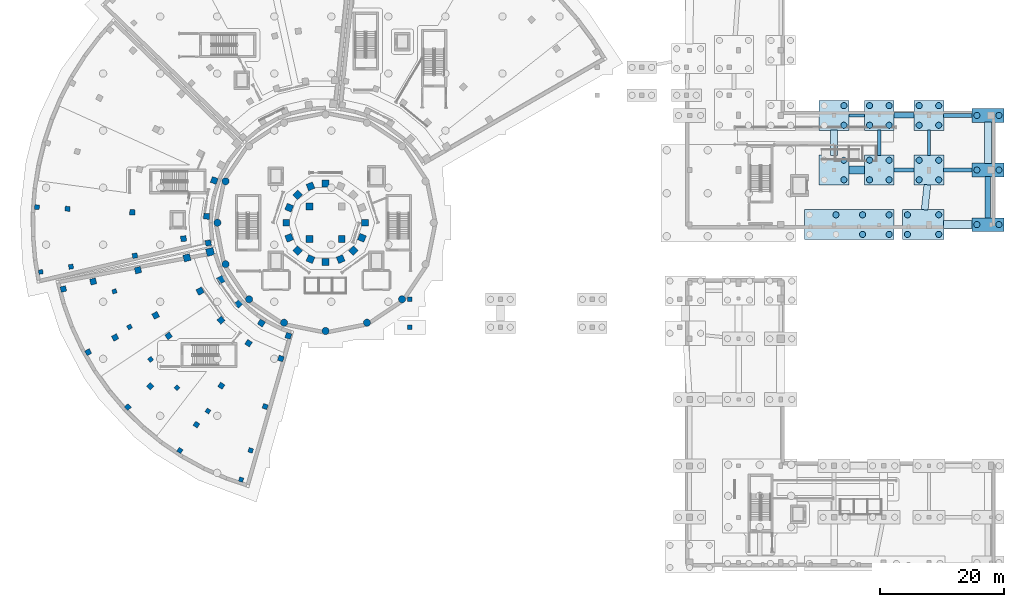
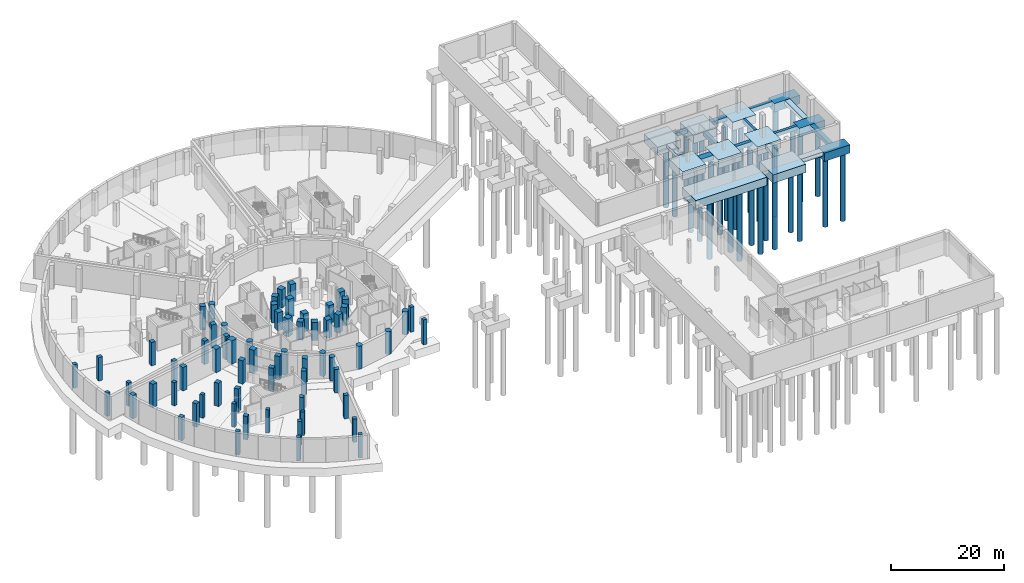
# One storey, part 3 of 33: 66 columns, 35 piles, 24 footings.
"""IFC4 building model written with IfcOpenShell, lengths in metres."""

from ifc_helpers import new_model, si_unit, direction, frame, origin, origin_2d, place, context, subcontext, project, spatial, rectangle, circle, extrude, material, material_profile, profile_set, type_object, element, save


model = new_model("IFC4")

# Units and contexts
model_context = context("Model", 3, precision=1e-05, world=origin(), true_north=direction((0.0, 1.0)))
body_context = subcontext(model_context, "Body", "Model", "MODEL_VIEW")
ifc_project = project(units=[si_unit("LENGTHUNIT", "METRE"), si_unit("AREAUNIT", "SQUARE_METRE"), si_unit("VOLUMEUNIT", "CUBIC_METRE"), si_unit("PLANEANGLEUNIT", "RADIAN"), si_unit("MASSUNIT", "GRAM", prefix="KILO")], contexts=[model_context])

# Site, building, storey
site_placement = place(None, origin())
site = spatial("IfcSite", under=ifc_project, at=site_placement, CompositionType="ELEMENT")
building_placement = place(site_placement, origin())
building = spatial("IfcBuilding", under=site, at=building_placement, Name="Soyqirgoq Riverine Aquarium", CompositionType="ELEMENT")
storey_placement = place(building_placement, frame((0.0, 0.0, -5.39990234375)))
storey = spatial("IfcBuildingStorey", under=building, at=storey_placement, Name="B01", CompositionType="ELEMENT", Elevation=-5.39990234375)

# Piles
ifc_material_1 = material(Name="Concrete C35/45", Category="concrete")
ifc_material_profile_1 = material_profile(ifc_material_1, circle(Radius=0.5, at=origin_2d()), Name="BP D1000")
ifc_profile_set_1 = profile_set([ifc_material_profile_1], Name="Concrete C35/45")
pile_type = type_object("IfcPileType", Name="BoredPile_1000_C35", PredefinedType="BORED", material=ifc_profile_set_1)
for number, where, z_axis, x_axis, name in (
    (1, (138.306640625, 58.280029296875, -1.7001953125), (0.0, 0.0, -1.0), (1.0, 0.0, 0.0), "Bored Pile 0180"),
    (2, (142.59326171875, 55.1201171875, -1.7001953125), (0.0, 0.0, -1.0), (1.0, 0.0, 0.0), "Bored Pile 0181"),
    (3, (142.59326171875, 58.280029296875, -1.7001953125), (0.0, 0.0, -1.0), (1.0, 0.0, 0.0), "Bored Pile 0182"),
    (4, (146.8798828125, 55.1201171875, -1.7001953125), (0.0, 0.0, -1.0), (1.0, 0.0, 0.0), "Bored Pile 0183"),
    (5, (146.8798828125, 58.280029296875, -1.7001953125), (0.0, 0.0, -1.0), (1.0, 0.0, 0.0), "Bored Pile 0184"),
    (6, (139.580078125, 63.919921875, -1.7001953125), (0.0, 0.0, -1.0), (1.0, 0.0, 0.0), "Bored Pile 0187"),
    (7, (139.580078125, 67.080078125, -1.7001953125), (0.0, 0.0, -1.0), (1.0, 0.0, 0.0), "Bored Pile 0188"),
    (8, (139.580078125, 72.719970703125, -1.7001953125), (0.0, 0.0, -1.0), (1.0, 0.0, 0.0), "Bored Pile 0191"),
    (9, (139.580078125, 75.8798828125, -1.7001953125), (0.0, 0.0, -1.0), (1.0, 0.0, 0.0), "Bored Pile 0192"),
    (10, (143.719970703125, 63.919921875, -1.7001953125), (0.0, 0.0, -1.0), (1.0, 0.0, 0.0), "Bored Pile 0193"),
    (11, (143.719970703125, 67.080078125, -1.7001953125), (0.0, 0.0, -1.0), (1.0, 0.0, 0.0), "Bored Pile 0194"),
    (12, (146.8798828125, 63.919921875, -1.7001953125), (0.0, 0.0, -1.0), (1.0, 0.0, 0.0), "Bored Pile 0195"),
    (13, (146.8798828125, 67.080078125, -1.7001953125), (0.0, 0.0, -1.0), (1.0, 0.0, 0.0), "Bored Pile 0196"),
    (14, (143.719970703125, 72.719970703125, -1.7001953125), (0.0, 0.0, -1.0), (1.0, 0.0, 0.0), "Bored Pile 0197"),
    (15, (143.719970703125, 75.8798828125, -1.7001953125), (0.0, 0.0, -1.0), (1.0, 0.0, 0.0), "Bored Pile 0198"),
    (16, (146.8798828125, 72.719970703125, -1.7001953125), (0.0, 0.0, -1.0), (1.0, 0.0, 0.0), "Bored Pile 0199"),
    (17, (146.8798828125, 75.8798828125, -1.7001953125), (0.0, 0.0, -1.0), (1.0, 0.0, 0.0), "Bored Pile 0200"),
    (18, (149.820068359375, 55.1201171875, -1.7001953125), (0.0, 0.0, -1.0), (1.0, 0.0, 0.0), "Bored Pile 0201"),
    (19, (149.820068359375, 58.280029296875, -1.7001953125), (0.0, 0.0, -1.0), (1.0, 0.0, 0.0), "Bored Pile 0202"),
    (20, (154.8798828125, 55.1201171875, -1.7001953125), (0.0, 0.0, -1.0), (1.0, 0.0, 0.0), "Bored Pile 0203"),
    (21, (154.8798828125, 58.280029296875, -1.7001953125), (0.0, 0.0, -1.0), (1.0, 0.0, 0.0), "Bored Pile 0204"),
    (22, (151.719970703125, 63.919921875, -1.7001953125), (0.0, 0.0, -1.0), (1.0, 0.0, 0.0), "Bored Pile 0205"),
    (23, (151.719970703125, 67.080078125, -1.7001953125), (0.0, 0.0, -1.0), (1.0, 0.0, 0.0), "Bored Pile 0206"),
    (24, (154.8798828125, 63.919921875, -1.7001953125), (0.0, 0.0, -1.0), (1.0, 0.0, 0.0), "Bored Pile 0207"),
    (25, (154.8798828125, 67.080078125, -1.7001953125), (0.0, 0.0, -1.0), (1.0, 0.0, 0.0), "Bored Pile 0208"),
    (26, (151.719970703125, 72.719970703125, -1.7001953125), (0.0, 0.0, -1.0), (1.0, 0.0, 0.0), "Bored Pile 0209"),
    (27, (151.719970703125, 75.8798828125, -1.7001953125), (0.0, 0.0, -1.0), (1.0, 0.0, 0.0), "Bored Pile 0210"),
    (28, (154.8798828125, 72.719970703125, -1.7001953125), (0.0, 0.0, -1.0), (1.0, 0.0, 0.0), "Bored Pile 0211"),
    (29, (154.8798828125, 75.8798828125, -1.7001953125), (0.0, 0.0, -1.0), (1.0, 0.0, 0.0), "Bored Pile 0212"),
    (30, (161.02001953125, 56.699951171875, -1.7001953125), (0.0, 0.0, -1.0), (1.0, 0.0, 0.0), "Bored Pile 0213"),
    (31, (164.580078125, 56.699951171875, -1.7001953125), (0.0, 0.0, -1.0), (1.0, 0.0, 0.0), "Bored Pile 0214"),
    (32, (161.02001953125, 65.5, -1.7001953125), (0.0, 0.0, -1.0), (1.0, 0.0, 0.0), "Bored Pile 0215"),
    (33, (164.580078125, 65.5, -1.7001953125), (0.0, 0.0, -1.0), (1.0, 0.0, 0.0), "Bored Pile 0216"),
    (34, (161.02001953125, 74.300048828125, -1.7001953125), (0.0, 0.0, -1.0), (1.0, 0.0, 0.0), "Bored Pile 0217"),
    (35, (164.580078125, 74.300048828125, -1.7001953125), (0.0, 0.0, -1.0), (1.0, 0.0, 0.0), "Bored Pile 0218"),
):
    element("IfcPile", number, at=place(storey_placement, frame(where, z_axis=z_axis, x_axis=x_axis)), inside=storey, type_object=pile_type, Name=name, PredefinedType="BORED", context=body_context, shape_type="SweptSolid", body=[
        extrude(circle(Radius=0.5, at=origin_2d()), origin(), (0.0, 0.0, 1.0), 14.89990234375),
    ])

# Footings
ifc_material_2 = material(Name="Concrete C35/45", Category="concrete")
ifc_material_profile_2 = material_profile(ifc_material_2, rectangle(XDim=0.5, YDim=0.800048828125, at=origin_2d()), Name="RC 500x800")
ifc_profile_set_2 = profile_set([ifc_material_profile_2], Name="Concrete C35/45")
footing_type_1 = type_object("IfcFootingType", Name="GroundBeam_500x800", PredefinedType="FOOTING_BEAM", material=ifc_profile_set_2)
footing_1_placement = place(storey_placement, frame((140.3798828125, 74.300048828125, -0.400146484375), z_axis=(1.0, 0.0, 0.0), x_axis=(0.0, 1.0, 0.0)))
element("IfcFooting", 36, at=footing_1_placement, inside=storey, type_object=footing_type_1, Name="Foundation Tie Beam 043", PredefinedType="FOOTING_BEAM", context=body_context, shape_type="SweptSolid", body=[
    extrude(rectangle(XDim=0.5, YDim=0.800048828125, at=origin_2d()), origin(), (0.0, 0.0, 1.0), 2.5400390625),
])
footing_2_placement = place(storey_placement, frame((153.300048828125, 67.8798828125, -0.400146484375), z_axis=(0.0, 1.0, 0.0), x_axis=(-1.0, 0.0, 0.0)))
element("IfcFooting", 37, at=footing_2_placement, inside=storey, type_object=footing_type_1, Name="Foundation Tie Beam 049", PredefinedType="FOOTING_BEAM", context=body_context, shape_type="SweptSolid", body=[
    extrude(rectangle(XDim=0.5, YDim=0.800048828125, at=origin_2d()), origin(), (0.0, 0.0, 1.0), 4.0400390625),
])
ifc_material_3 = material(Name="Concrete C35/45", Category="concrete")
ifc_material_profile_3 = material_profile(ifc_material_3, rectangle(XDim=0.60009765625, YDim=0.800048828125, at=origin_2d()), Name="RC 600x800")
ifc_profile_set_3 = profile_set([ifc_material_profile_3], Name="Concrete C35/45")
footing_type_2 = type_object("IfcFootingType", Name="GroundBeam_600x800", PredefinedType="FOOTING_BEAM", material=ifc_profile_set_3)
footing_3_placement = place(storey_placement, frame((145.300048828125, 67.8798828125, -0.400146484375), z_axis=(0.0, 1.0, 0.0), x_axis=(-1.0, 0.0, 0.0)))
element("IfcFooting", 38, at=footing_3_placement, inside=storey, type_object=footing_type_2, Name="Foundation Tie Beam 044", PredefinedType="FOOTING_BEAM", context=body_context, shape_type="SweptSolid", body=[
    extrude(rectangle(XDim=0.60009765625, YDim=0.800048828125, at=origin_2d()), origin(), (0.0, 0.0, 1.0), 4.0400390625),
])
footing_4_placement = place(storey_placement, frame((155.679931640625, 65.5, -0.400146484375), z_axis=(1.0, 0.0, 0.0), x_axis=(0.0, 1.0, 0.0)))
element("IfcFooting", 39, at=footing_4_placement, inside=storey, type_object=footing_type_2, Name="Foundation Tie Beam 050", PredefinedType="FOOTING_BEAM", context=body_context, shape_type="SweptSolid", body=[
    extrude(rectangle(XDim=0.60009765625, YDim=0.800048828125, at=origin_2d()), origin(), (0.0, 0.0, 1.0), 4.5400390625),
])
ifc_material_4 = material(Name="Concrete C35/45", Category="concrete")
ifc_material_profile_4 = material_profile(ifc_material_4, rectangle(XDim=0.699951171875, YDim=0.89990234375, at=origin_2d()), Name="RC 700x900")
ifc_profile_set_4 = profile_set([ifc_material_profile_4], Name="Concrete C35/45")
footing_type_3 = type_object("IfcFootingType", Name="GroundBeam_700x900", PredefinedType="FOOTING_BEAM", material=ifc_profile_set_4)
footing_5_placement = place(storey_placement, frame((147.679931640625, 65.5, -0.4501953125), z_axis=(1.0, 0.0, 0.0), x_axis=(0.0, 1.0, 0.0)))
element("IfcFooting", 40, at=footing_5_placement, inside=storey, type_object=footing_type_3, Name="Foundation Tie Beam 045", PredefinedType="FOOTING_BEAM", context=body_context, shape_type="SweptSolid", body=[
    extrude(rectangle(XDim=0.699951171875, YDim=0.89990234375, at=origin_2d()), origin(), (0.0, 0.0, 1.0), 3.239990234375),
])
footing_6_placement = place(storey_placement, frame((155.679931640625, 74.300048828125, -0.4501953125), z_axis=(1.0, 0.0, 0.0), x_axis=(0.0, 1.0, 0.0)))
element("IfcFooting", 41, at=footing_6_placement, inside=storey, type_object=footing_type_3, Name="Foundation Tie Beam 051", PredefinedType="FOOTING_BEAM", context=body_context, shape_type="SweptSolid", body=[
    extrude(rectangle(XDim=0.699951171875, YDim=0.89990234375, at=origin_2d()), origin(), (0.0, 0.0, 1.0), 4.5400390625),
])
ifc_material_5 = material(Name="Concrete C35/45", Category="concrete")
footing_type_4 = type_object("IfcFootingType", Name="PileCap_2P_5200x2200", PredefinedType="PILE_CAP", material=ifc_material_5)
for number, where, z_axis, x_axis, name in (
    (42, (162.800048828125, 56.699951171875, -1.80029296875), (0.0, 0.0, 1.0), (1.0, 0.0, 0.0), "Pile Cap 049"),
    (43, (162.800048828125, 65.5, -1.80029296875), (0.0, 0.0, 1.0), (1.0, 0.0, 0.0), "Pile Cap 050"),
    (44, (162.800048828125, 74.300048828125, -1.80029296875), (0.0, 0.0, 1.0), (1.0, 0.0, 0.0), "Pile Cap 051"),
):
    element("IfcFooting", number, at=place(storey_placement, frame(where, z_axis=z_axis, x_axis=x_axis)), inside=storey, type_object=footing_type_4, Name=name, PredefinedType="PILE_CAP", context=body_context, shape_type="SweptSolid", body=[
        extrude(rectangle(XDim=5.199951171875, YDim=2.199951171875, at=origin_2d()), origin(), (0.0, 0.0, 1.0), 1.800048828125),
    ])
ifc_material_6 = material(Name="Concrete C35/45", Category="concrete")
footing_type_5 = type_object("IfcFootingType", Name="PileCap_4P_4800x4800", PredefinedType="PILE_CAP", material=ifc_material_6)
for number, where, z_axis, x_axis, name in (
    (45, (138.0, 65.5, -1.80029296875), (0.0, 0.0, 1.0), (1.0, 0.0, 0.0), "Pile Cap 042"),
    (46, (138.0, 74.300048828125, -1.80029296875), (0.0, 0.0, 1.0), (1.0, 0.0, 0.0), "Pile Cap 043"),
    (47, (145.300048828125, 65.5, -1.80029296875), (0.0, 0.0, 1.0), (1.0, 0.0, 0.0), "Pile Cap 044"),
    (48, (145.300048828125, 74.300048828125, -1.80029296875), (0.0, 0.0, 1.0), (1.0, 0.0, 0.0), "Pile Cap 045"),
    (49, (153.300048828125, 65.5, -1.80029296875), (0.0, 0.0, 1.0), (1.0, 0.0, 0.0), "Pile Cap 047"),
    (50, (153.300048828125, 74.300048828125, -1.80029296875), (0.0, 0.0, 1.0), (1.0, 0.0, 0.0), "Pile Cap 048"),
):
    element("IfcFooting", number, at=place(storey_placement, frame(where, z_axis=z_axis, x_axis=x_axis)), inside=storey, type_object=footing_type_5, Name=name, PredefinedType="PILE_CAP", context=body_context, shape_type="SweptSolid", body=[
        extrude(rectangle(XDim=4.800048828125, YDim=4.800048828125, at=origin_2d()), origin(), (0.0, 0.0, 1.0), 1.800048828125),
    ])
ifc_material_7 = material(Name="Concrete C35/45", Category="concrete")
footing_type_6 = type_object("IfcFootingType", Name="PileCap_Comb_14500x4800", PredefinedType="PILE_CAP", material=ifc_material_7)
footing_7_placement = place(storey_placement, frame((140.449951171875, 56.699951171875, -1.80029296875), z_axis=(0.0, 0.0, 1.0), x_axis=(1.0, 0.0, 0.0)))
element("IfcFooting", 51, at=footing_7_placement, inside=storey, type_object=footing_type_6, Name="Pile Cap 041", PredefinedType="PILE_CAP", context=body_context, shape_type="SweptSolid", body=[
    extrude(rectangle(XDim=14.5, YDim=4.800048828125, at=origin_2d()), origin(), (0.0, 0.0, 1.0), 1.800048828125),
])
ifc_material_8 = material(Name="Concrete C35/45", Category="concrete")
footing_type_7 = type_object("IfcFootingType", Name="PileCap_Comb_6700x4800", PredefinedType="PILE_CAP", material=ifc_material_8)
footing_8_placement = place(storey_placement, frame((152.35009765625, 56.699951171875, -1.80029296875), z_axis=(0.0, 0.0, 1.0), x_axis=(1.0, 0.0, 0.0)))
element("IfcFooting", 52, at=footing_8_placement, inside=storey, type_object=footing_type_7, Name="Pile Cap 046", PredefinedType="PILE_CAP", context=body_context, shape_type="SweptSolid", body=[
    extrude(rectangle(XDim=6.699951171875, YDim=4.800048828125, at=origin_2d()), origin(), (0.0, 0.0, 1.0), 1.800048828125),
])
ifc_material_9 = material(Name="Concrete C35/45", Category="concrete")
ifc_material_profile_5 = material_profile(ifc_material_9, rectangle(XDim=1.10009765625, YDim=0.800048828125, at=origin_2d()), Name="RC 1100x800")
ifc_profile_set_5 = profile_set([ifc_material_profile_5], Name="Concrete C35/45")
footing_type_8 = type_object("IfcFootingType", Name="StripFooting_1100x800", PredefinedType="STRIP_FOOTING", material=ifc_profile_set_5)
footing_9_placement = place(storey_placement, frame((138.0, 67.8798828125, -0.400146484375), z_axis=(0.0, 1.0, 0.0), x_axis=(-1.0, 0.0, 0.0)))
element("IfcFooting", 53, at=footing_9_placement, inside=storey, type_object=footing_type_8, Name="Foundation Tie Beam 041", PredefinedType="STRIP_FOOTING", context=body_context, shape_type="SweptSolid", body=[
    extrude(rectangle(XDim=1.10009765625, YDim=0.800048828125, at=origin_2d()), origin(), (0.0, 0.0, 1.0), 4.0400390625),
])
footing_10_placement = place(storey_placement, frame((152.60693359375, 59.080078125, -0.400146484375), z_axis=(0.107364673519, 0.99421970755, 0.0), x_axis=(-0.99421970755, 0.107364673519, 0.0)))
element("IfcFooting", 54, at=footing_10_placement, inside=storey, type_object=footing_type_8, Name="Foundation Tie Beam 047", PredefinedType="STRIP_FOOTING", context=body_context, shape_type="SweptSolid", body=[
    extrude(rectangle(XDim=1.10009765625, YDim=0.800048828125, at=origin_2d()), origin(), (0.0, 0.0, 1.0), 4.0634765625),
])
footing_11_placement = place(storey_placement, frame((162.800048828125, 66.580078125, -0.400146484375), z_axis=(0.0, 1.0, 0.0), x_axis=(-1.0, 0.0, 0.0)))
element("IfcFooting", 55, at=footing_11_placement, inside=storey, type_object=footing_type_8, Name="Foundation Tie Beam 053", PredefinedType="STRIP_FOOTING", context=body_context, shape_type="SweptSolid", body=[
    extrude(rectangle(XDim=1.10009765625, YDim=0.800048828125, at=origin_2d()), origin(), (0.0, 0.0, 1.0), 6.639892578125),
])
ifc_material_10 = material(Name="Concrete C35/45", Category="concrete")
ifc_material_profile_6 = material_profile(ifc_material_10, rectangle(XDim=1.300048828125, YDim=0.89990234375, at=origin_2d()), Name="RC 1300x900")
ifc_profile_set_6 = profile_set([ifc_material_profile_6], Name="Concrete C35/45")
footing_type_9 = type_object("IfcFootingType", Name="StripFooting_1300x900", PredefinedType="STRIP_FOOTING", material=ifc_profile_set_6)
footing_12_placement = place(storey_placement, frame((140.3798828125, 65.5, -0.4501953125), z_axis=(1.0, 0.0, 0.0), x_axis=(0.0, 1.0, 0.0)))
element("IfcFooting", 56, at=footing_12_placement, inside=storey, type_object=footing_type_9, Name="Foundation Tie Beam 042", PredefinedType="STRIP_FOOTING", context=body_context, shape_type="SweptSolid", body=[
    extrude(rectangle(XDim=1.300048828125, YDim=0.89990234375, at=origin_2d()), origin(), (0.0, 0.0, 1.0), 2.5400390625),
])
footing_13_placement = place(storey_placement, frame((155.679931640625, 56.699951171875, -0.4501953125), z_axis=(1.0, 0.0, 0.0), x_axis=(0.0, 1.0, 0.0)))
element("IfcFooting", 57, at=footing_13_placement, inside=storey, type_object=footing_type_9, Name="Foundation Tie Beam 048", PredefinedType="STRIP_FOOTING", context=body_context, shape_type="SweptSolid", body=[
    extrude(rectangle(XDim=1.300048828125, YDim=0.89990234375, at=origin_2d()), origin(), (0.0, 0.0, 1.0), 4.5400390625),
])
ifc_material_11 = material(Name="Concrete C35/45", Category="concrete")
ifc_material_profile_7 = material_profile(ifc_material_11, rectangle(XDim=0.89990234375, YDim=0.800048828125, at=origin_2d()), Name="RC 900x800")
ifc_profile_set_7 = profile_set([ifc_material_profile_7], Name="Concrete C35/45")
footing_type_10 = type_object("IfcFootingType", Name="StripFooting_900x800", PredefinedType="STRIP_FOOTING", material=ifc_profile_set_7)
footing_14_placement = place(storey_placement, frame((147.679931640625, 74.300048828125, -0.400146484375), z_axis=(1.0, 0.0, 0.0), x_axis=(0.0, 1.0, 0.0)))
element("IfcFooting", 58, at=footing_14_placement, inside=storey, type_object=footing_type_10, Name="Foundation Tie Beam 046", PredefinedType="STRIP_FOOTING", context=body_context, shape_type="SweptSolid", body=[
    extrude(rectangle(XDim=0.89990234375, YDim=0.800048828125, at=origin_2d()), origin(), (0.0, 0.0, 1.0), 3.239990234375),
])
footing_15_placement = place(storey_placement, frame((162.800048828125, 57.780029296875, -0.400146484375), z_axis=(0.0, 1.0, 0.0), x_axis=(-1.0, 0.0, 0.0)))
element("IfcFooting", 59, at=footing_15_placement, inside=storey, type_object=footing_type_10, Name="Foundation Tie Beam 052", PredefinedType="STRIP_FOOTING", context=body_context, shape_type="SweptSolid", body=[
    extrude(rectangle(XDim=0.89990234375, YDim=0.800048828125, at=origin_2d()), origin(), (0.0, 0.0, 1.0), 6.639892578125),
])

# Columns
ifc_material_12 = material(Name="Waterproof concrete C45/55", Category="concrete")
ifc_material_profile_8 = material_profile(ifc_material_12, circle(Radius=0.574951171875, at=origin_2d()), Name="RC-COL D1150")
ifc_profile_set_8 = profile_set([ifc_material_profile_8], Name="Waterproof concrete C45/55")
column_type_1 = type_object("IfcColumnType", Name="Col_Circ_D1150", PredefinedType="COLUMN", material=ifc_profile_set_8)
for number, where, z_axis, x_axis, name in (
    (60, (39.87841796875, 63.677734375, 0.0), (0.0, 0.0, 1.0), (-0.923879532511, 0.382683432365, 0.0), "V1 Column V1-CO08 B01"),
    (61, (38.550048828125, 57.0, 0.0), (0.0, 0.0, 1.0), (-1.0, 0.0, 0.0), "V1 Column V1-CO09 B01"),
    (62, (39.87841796875, 50.322265625, 0.0), (0.0, 0.0, 1.0), (-0.923879532511, -0.382683432365, 0.0), "V1 Column V1-CO10 B01"),
    (63, (43.660888671875, 44.660888671875, 0.0), (0.0, 0.0, 1.0), (-0.707106781187, -0.707106781187, 0.0), "V1 Column V1-CO11 B01"),
    (64, (49.322265625, 40.87841796875, 0.0), (0.0, 0.0, 1.0), (-0.382683432365, -0.923879532511, 0.0), "V1 Column V1-CO12 B01"),
    (65, (56.0, 39.550048828125, 0.0), (0.0, 0.0, 1.0), (0.0, -1.0, 0.0), "V1 Column V1-CO13 B01"),
    (66, (62.677734375, 40.87841796875, 0.0), (0.0, 0.0, 1.0), (0.382683432365, -0.923879532511, 0.0), "V1 Column V1-CO14 B01"),
    (67, (68.339111328125, 44.660888671875, 0.0), (0.0, 0.0, 1.0), (0.707106781187, -0.707106781187, 0.0), "V1 Column V1-CO15 B01"),
):
    element("IfcColumn", number, at=place(storey_placement, frame(where, z_axis=z_axis, x_axis=x_axis)), inside=storey, type_object=column_type_1, Name=name, PredefinedType="COLUMN", context=body_context, shape_type="SweptSolid", body=[
        extrude(circle(Radius=0.574951171875, at=origin_2d()), origin(), (0.0, 0.0, 1.0), 4.949951171875),
    ])
ifc_material_13 = material(Name="Concrete C40/50", Category="concrete")
ifc_material_profile_9 = material_profile(ifc_material_13, rectangle(XDim=1.0, YDim=1.0, at=origin_2d()), Name="RC 1000x1000")
ifc_profile_set_9 = profile_set([ifc_material_profile_9], Name="Concrete C40/50")
column_type_2 = type_object("IfcColumnType", Name="Col_RC_1000x1000", PredefinedType="COLUMN", material=ifc_profile_set_9)
for number, where, z_axis, x_axis, name in (
    (68, (25.75341796875, 49.346435546875, 0.0), (0.0, 0.0, 1.0), (-0.969445349895, -0.245307385879, 0.0), "V2 Column V2-CR3-01 B01"),
    (69, (35.762451171875, 45.96630859375, 0.0), (0.0, 0.0, 1.0), (-0.877982975428, -0.478691857941, 0.0), "V2 Column V2-CR2-02 B01"),
    (70, (41.9580078125, 43.905517578125, 0.0), (0.0, 0.0, 1.0), (-0.731353701619, -0.681998360062, 0.0), "V2 Column V2-CR1-03 B01"),
    (71, (38.05126953125, 63.818115234375, 0.0), (0.0, 0.0, 1.0), (-0.934825676396, 0.355106962408, 0.0), "V3 Column V3-CR1-03 B01"),
):
    element("IfcColumn", number, at=place(storey_placement, frame(where, z_axis=z_axis, x_axis=x_axis)), inside=storey, type_object=column_type_2, Name=name, PredefinedType="COLUMN", context=body_context, shape_type="SweptSolid", body=[
        extrude(rectangle(XDim=1.0, YDim=1.0, at=origin_2d()), origin(), (0.0, 0.0, 1.0), 5.0498046875),
    ])
ifc_material_14 = material(Name="Waterproof concrete C45/55", Category="concrete")
ifc_material_profile_10 = material_profile(ifc_material_14, rectangle(XDim=1.10009765625, YDim=1.10009765625, at=origin_2d()), Name="RC 1100x1100")
ifc_profile_set_10 = profile_set([ifc_material_profile_10], Name="Waterproof concrete C45/55")
column_type_3 = type_object("IfcColumnType", Name="Col_RC_1100x1100", PredefinedType="COLUMN", material=ifc_profile_set_10)
for number, where, z_axis, x_axis, name in (
    (72, (62.35009765625, 57.0, 0.0), (0.0, 0.0, 1.0), (1.0, 0.0, 0.0), "V1 Column V1-CT01 B01"),
    (73, (56.0, 63.35009765625, 0.0), (0.0, 0.0, 1.0), (0.0, 1.0, 0.0), "V1 Column V1-CT05 B01"),
    (74, (53.570068359375, 62.86669921875, 0.0), (0.0, 0.0, 1.0), (-0.382683432365, 0.923879532511, 0.0), "V1 Column V1-CT06 B01"),
    (75, (51.510009765625, 61.489990234375, 0.0), (0.0, 0.0, 1.0), (-0.707106781187, 0.707106781187, 0.0), "V1 Column V1-CT07 B01"),
    (76, (50.13330078125, 59.429931640625, 0.0), (0.0, 0.0, 1.0), (-0.923879532511, 0.382683432365, 0.0), "V1 Column V1-CT08 B01"),
    (77, (49.64990234375, 57.0, 0.0), (0.0, 0.0, 1.0), (-1.0, 0.0, 0.0), "V1 Column V1-CT09 B01"),
    (78, (50.13330078125, 54.570068359375, 0.0), (0.0, 0.0, 1.0), (-0.923879532511, -0.382683432365, 0.0), "V1 Column V1-CT10 B01"),
    (79, (51.510009765625, 52.510009765625, 0.0), (0.0, 0.0, 1.0), (-0.707106781187, -0.707106781187, 0.0), "V1 Column V1-CT11 B01"),
    (80, (53.570068359375, 51.13330078125, 0.0), (0.0, 0.0, 1.0), (-0.382683432365, -0.923879532511, 0.0), "V1 Column V1-CT12 B01"),
    (81, (56.0, 50.64990234375, 0.0), (0.0, 0.0, 1.0), (0.0, -1.0, 0.0), "V1 Column V1-CT13 B01"),
    (82, (58.429931640625, 51.13330078125, 0.0), (0.0, 0.0, 1.0), (0.382683432365, -0.923879532511, 0.0), "V1 Column V1-CT14 B01"),
    (83, (60.489990234375, 52.510009765625, 0.0), (0.0, 0.0, 1.0), (0.707106781187, -0.707106781187, 0.0), "V1 Column V1-CT15 B01"),
    (84, (61.86669921875, 54.570068359375, 0.0), (0.0, 0.0, 1.0), (0.923879532511, -0.382683432365, 0.0), "V1 Column V1-CT16 B01"),
    (85, (53.39990234375, 54.39990234375, 0.0), (0.0, 0.0, 1.0), (1.0, 0.0, 0.0), "V1 Column V1-CC01 B01"),
    (86, (58.60009765625, 54.39990234375, 0.0), (0.0, 0.0, 1.0), (1.0, 0.0, 0.0), "V1 Column V1-CC02 B01"),
    (87, (53.39990234375, 59.60009765625, 0.0), (0.0, 0.0, 1.0), (1.0, 0.0, 0.0), "V1 Column V1-CC04 B01"),
):
    element("IfcColumn", number, at=place(storey_placement, frame(where, z_axis=z_axis, x_axis=x_axis)), inside=storey, type_object=column_type_3, Name=name, PredefinedType="COLUMN", context=body_context, shape_type="SweptSolid", body=[
        extrude(rectangle(XDim=1.10009765625, YDim=1.10009765625, at=origin_2d()), origin(), (0.0, 0.0, 1.0), 3.89990234375),
    ])
for number, where, z_axis, x_axis, name in (
    (88, (33.654296875, 51.345703125, 0.0), (0.0, 0.0, 1.0), (-0.969445349895, -0.245307385879, 0.0), "V2 Column V2-CR2-01 B01"),
    (89, (39.142578125, 47.80908203125, 0.0), (0.0, 0.0, 1.0), (-0.877982975428, -0.478691857941, 0.0), "V2 Column V2-CR1-02 B01"),
):
    element("IfcColumn", number, at=place(storey_placement, frame(where, z_axis=z_axis, x_axis=x_axis)), inside=storey, type_object=column_type_3, Name=name, PredefinedType="COLUMN", context=body_context, shape_type="SweptSolid", body=[
        extrude(rectangle(XDim=1.10009765625, YDim=1.10009765625, at=origin_2d()), origin(), (0.0, 0.0, 1.0), 5.0498046875),
    ])
ifc_material_15 = material(Name="Waterproof concrete C45/55", Category="concrete")
ifc_material_profile_11 = material_profile(ifc_material_15, rectangle(XDim=1.199951171875, YDim=1.199951171875, at=origin_2d()), Name="RC 1200x1200")
ifc_profile_set_11 = profile_set([ifc_material_profile_11], Name="Waterproof concrete C45/55")
column_type_4 = type_object("IfcColumnType", Name="Col_RC_1200x1200", PredefinedType="COLUMN", material=ifc_profile_set_11)
column_placement = place(storey_placement, frame((37.38671875, 52.2900390625, 0.0), z_axis=(0.0, 0.0, 1.0), x_axis=(-0.969445349895, -0.245307385879, 0.0)))
element("IfcColumn", 90, at=column_placement, inside=storey, type_object=column_type_4, Name="V2 Column V2-CR1-01 B01", PredefinedType="COLUMN", context=body_context, shape_type="SweptSolid", body=[
    extrude(rectangle(XDim=1.199951171875, YDim=1.199951171875, at=origin_2d()), origin(), (0.0, 0.0, 1.0), 5.0498046875),
])
ifc_material_16 = material(Name="Concrete C40/50", Category="concrete")
ifc_material_profile_12 = material_profile(ifc_material_16, rectangle(XDim=0.699951171875, YDim=0.699951171875, at=origin_2d()), Name="RC 700x700")
ifc_profile_set_12 = profile_set([ifc_material_profile_12], Name="Concrete C40/50")
column_type_5 = type_object("IfcColumnType", Name="Col_RC_700x700", PredefinedType="COLUMN", material=ifc_profile_set_12)
for number, where, z_axis, x_axis, name in (
    (91, (42.382080078125, 15.581298828125, 0.0), (0.0, 0.0, 1.0), (-0.312334918512, -0.949972051525, 0.0), "V2 Column V2-CR5-05 B01"),
    (92, (21.9521484375, 45.937255859375, 0.0), (0.0, 0.0, 1.0), (-0.951056516295, -0.309016994375, 0.0), "V2 Column V2-CSW-01 B01"),
    (93, (24.390380859375, 40.19287109375, 0.0), (0.0, 0.0, 1.0), (-0.882947592859, -0.469471562786, 0.0), "V2 Column V2-CSW-02 B01"),
    (94, (27.789306640625, 34.959228515625, 0.0), (0.0, 0.0, 1.0), (-0.788010753607, -0.615661475326, 0.0), "V2 Column V2-CSW-03 B01"),
    (95, (32.045166015625, 30.3955078125, 0.0), (0.0, 0.0, 1.0), (-0.669130606359, -0.743144825477, 0.0), "V2 Column V2-CSW-04 B01"),
    (96, (37.02880859375, 26.639892578125, 0.0), (0.0, 0.0, 1.0), (-0.529919264233, -0.848048096156, 0.0), "V2 Column V2-CSW-05 B01"),
    (97, (10.080078125, 49.068115234375, 0.0), (0.0, 0.0, 1.0), (-0.985407898483, -0.170209499166, 0.0), "V3 Column V3-CR5-05 B01"),
):
    element("IfcColumn", number, at=place(storey_placement, frame(where, z_axis=z_axis, x_axis=x_axis)), inside=storey, type_object=column_type_5, Name=name, PredefinedType="COLUMN", context=body_context, shape_type="SweptSolid", body=[
        extrude(rectangle(XDim=0.699951171875, YDim=0.699951171875, at=origin_2d()), origin(), (0.0, 0.0, 1.0), 5.0498046875),
    ])
for number, where, z_axis, x_axis, name in (
    (98, (69.60009765625, 40.14990234375, 0.0), (0.0, 0.0, 1.0), (1.0, 0.0, 0.0), "Bridge Pier Column BR-1-CP-69-S B01"),
    (99, (69.60009765625, 44.64990234375, 0.0), (0.0, 0.0, 1.0), (1.0, 0.0, 0.0), "Bridge Pier Column BR-1-CP-69-N B01"),
):
    element("IfcColumn", number, at=place(storey_placement, frame(where, z_axis=z_axis, x_axis=x_axis)), inside=storey, type_object=column_type_5, Name=name, PredefinedType="COLUMN", context=body_context, shape_type="SweptSolid", body=[
        extrude(rectangle(XDim=0.699951171875, YDim=0.699951171875, at=origin_2d()), origin(), (0.0, 0.0, 1.0), 5.39990234375),
    ])
ifc_material_17 = material(Name="Concrete C40/50", Category="concrete")
ifc_material_profile_13 = material_profile(ifc_material_17, rectangle(XDim=0.75, YDim=0.75, at=origin_2d()), Name="RC 750x750")
ifc_profile_set_13 = profile_set([ifc_material_profile_13], Name="Concrete C40/50")
column_type_6 = type_object("IfcColumnType", Name="Col_RC_750x750", PredefinedType="COLUMN", material=ifc_profile_set_13)
for number, where, z_axis, x_axis, name in (
    (100, (32.509521484375, 20.26904296875, 0.0), (0.0, 0.0, 1.0), (-0.538770785007, -0.842452397007, 0.0), "V2 Column V2-CR5-04 B01"),
    (101, (43.92822265625, 20.28369140625, 0.0), (0.0, 0.0, 1.0), (-0.312334918512, -0.949972051525, 0.0), "V2 Column V2-CR4-05 B01"),
    (102, (9.46826171875, 59.52001953125, 0.0), (0.0, 0.0, 1.0), (-0.998536670326, 0.054078812985, 0.0), "V3 Column V3-CR5-04 B01"),
    (103, (14.957763671875, 49.910888671875, 0.0), (0.0, 0.0, 1.0), (-0.985407898483, -0.170209499166, 0.0), "V3 Column V3-CR4-05 B01"),
):
    element("IfcColumn", number, at=place(storey_placement, frame(where, z_axis=z_axis, x_axis=x_axis)), inside=storey, type_object=column_type_6, Name=name, PredefinedType="COLUMN", context=body_context, shape_type="SweptSolid", body=[
        extrude(rectangle(XDim=0.75, YDim=0.75, at=origin_2d()), origin(), (0.0, 0.0, 1.0), 5.0498046875),
    ])
ifc_material_18 = material(Name="Concrete C40/50", Category="concrete")
ifc_material_profile_14 = material_profile(ifc_material_18, rectangle(XDim=0.800048828125, YDim=0.800048828125, at=origin_2d()), Name="RC 800x800")
ifc_profile_set_14 = profile_set([ifc_material_profile_14], Name="Concrete C40/50")
column_type_7 = type_object("IfcColumnType", Name="Col_RC_800x800", PredefinedType="COLUMN", material=ifc_profile_set_14)
for number, where, z_axis, x_axis, name in (
    (104, (24.113037109375, 27.264892578125, 0.0), (0.0, 0.0, 1.0), (-0.731353701619, -0.681998360062, 0.0), "V2 Column V2-CR5-03 B01"),
    (105, (35.176513671875, 24.439208984375, 0.0), (0.0, 0.0, 1.0), (-0.538770785007, -0.842452397007, 0.0), "V2 Column V2-CR4-04 B01"),
    (106, (46.255126953125, 27.36083984375, 0.0), (0.0, 0.0, 1.0), (-0.312334918512, -0.949972051525, 0.0), "V2 Column V2-CR3-05 B01"),
    (107, (14.410888671875, 59.25244140625, 0.0), (0.0, 0.0, 1.0), (-0.998536670326, 0.054078812985, 0.0), "V3 Column V3-CR4-04 B01"),
    (108, (25.25537109375, 51.689453125, 0.0), (0.0, 0.0, 1.0), (-0.985407898483, -0.170209499166, 0.0), "V3 Column V3-CR3-05 B01"),
):
    element("IfcColumn", number, at=place(storey_placement, frame(where, z_axis=z_axis, x_axis=x_axis)), inside=storey, type_object=column_type_7, Name=name, PredefinedType="COLUMN", context=body_context, shape_type="SweptSolid", body=[
        extrude(rectangle(XDim=0.800048828125, YDim=0.800048828125, at=origin_2d()), origin(), (0.0, 0.0, 1.0), 5.0498046875),
    ])
ifc_material_19 = material(Name="Concrete C40/50", Category="concrete")
ifc_material_profile_15 = material_profile(ifc_material_19, rectangle(XDim=0.85009765625, YDim=0.85009765625, at=origin_2d()), Name="RC 850x850")
ifc_profile_set_15 = profile_set([ifc_material_profile_15], Name="Concrete C40/50")
column_type_8 = type_object("IfcColumnType", Name="Col_RC_850x850", PredefinedType="COLUMN", material=ifc_profile_set_15)
for number, where, z_axis, x_axis, name in (
    (109, (17.719970703125, 36.12890625, 0.0), (0.0, 0.0, 1.0), (-0.877982975428, -0.478691857941, 0.0), "V2 Column V2-CR5-02 B01"),
    (110, (27.733154296875, 30.640869140625, 0.0), (0.0, 0.0, 1.0), (-0.731353701619, -0.681998360062, 0.0), "V2 Column V2-CR4-03 B01"),
    (111, (39.1904296875, 30.715576171875, 0.0), (0.0, 0.0, 1.0), (-0.538770785007, -0.842452397007, 0.0), "V2 Column V2-CR3-04 B01"),
    (112, (48.80078125, 35.10302734375, 0.0), (0.0, 0.0, 1.0), (-0.312334918512, -0.949972051525, 0.0), "V2 Column V2-CR2-05 B01"),
    (113, (24.845703125, 58.687255859375, 0.0), (0.0, 0.0, 1.0), (-0.998536670326, 0.054078812985, 0.0), "V3 Column V3-CR3-04 B01"),
):
    element("IfcColumn", number, at=place(storey_placement, frame(where, z_axis=z_axis, x_axis=x_axis)), inside=storey, type_object=column_type_8, Name=name, PredefinedType="COLUMN", context=body_context, shape_type="SweptSolid", body=[
        extrude(rectangle(XDim=0.85009765625, YDim=0.85009765625, at=origin_2d()), origin(), (0.0, 0.0, 1.0), 5.0498046875),
    ])
ifc_material_20 = material(Name="Concrete C40/50", Category="concrete")
ifc_material_profile_16 = material_profile(ifc_material_20, rectangle(XDim=0.89990234375, YDim=0.89990234375, at=origin_2d()), Name="RC 900x900")
ifc_profile_set_16 = profile_set([ifc_material_profile_16], Name="Concrete C40/50")
column_type_9 = type_object("IfcColumnType", Name="Col_RC_900x900", PredefinedType="COLUMN", material=ifc_profile_set_16)
for number, where, z_axis, x_axis, name in (
    (114, (13.732177734375, 46.3046875, 0.0), (0.0, 0.0, 1.0), (-0.969445349895, -0.245307385879, 0.0), "V2 Column V2-CR5-01 B01"),
    (115, (22.06591796875, 38.49853515625, 0.0), (0.0, 0.0, 1.0), (-0.877982975428, -0.478691857941, 0.0), "V2 Column V2-CR4-02 B01"),
    (116, (30.69482421875, 38.749267578125, 0.0), (0.0, 0.0, 1.0), (-0.811063818989, -0.584957674987, 0.0), "V2 Column V2-CR3-03 B01"),
    (117, (43.581298828125, 37.58154296875, 0.0), (0.0, 0.0, 1.0), (-0.538770785007, -0.842452397007, 0.0), "V2 Column V2-CR2-04 B01"),
    (118, (50.003173828125, 38.760498046875, 0.0), (0.0, 0.0, 1.0), (-0.312334918512, -0.949972051525, 0.0), "V2 Column V2-CR1-05 B01"),
    (119, (33.093505859375, 54.4306640625, 0.0), (0.0, 0.0, 1.0), (-0.993767919161, -0.111468932206, 0.0), "V3 Column V3-CR2-04 B01"),
    (120, (37.080078125, 53.73193359375, 0.0), (0.0, 0.0, 1.0), (-0.985407898483, -0.170209499166, 0.0), "V3 Column V3-CR1-05 B01"),
):
    element("IfcColumn", number, at=place(storey_placement, frame(where, z_axis=z_axis, x_axis=x_axis)), inside=storey, type_object=column_type_9, Name=name, PredefinedType="COLUMN", context=body_context, shape_type="SweptSolid", body=[
        extrude(rectangle(XDim=0.89990234375, YDim=0.89990234375, at=origin_2d()), origin(), (0.0, 0.0, 1.0), 5.0498046875),
    ])
ifc_material_21 = material(Name="Concrete C40/50", Category="concrete")
ifc_material_profile_17 = material_profile(ifc_material_21, rectangle(XDim=0.949951171875, YDim=0.949951171875, at=origin_2d()), Name="RC 950x950")
ifc_profile_set_17 = profile_set([ifc_material_profile_17], Name="Concrete C40/50")
column_type_10 = type_object("IfcColumnType", Name="Col_RC_950x950", PredefinedType="COLUMN", material=ifc_profile_set_17)
for number, where, z_axis, x_axis, name in (
    (121, (18.531005859375, 47.518798828125, 0.0), (0.0, 0.0, 1.0), (-0.969445349895, -0.245307385879, 0.0), "V2 Column V2-CR4-01 B01"),
    (122, (28.60693359375, 42.064697265625, 0.0), (0.0, 0.0, 1.0), (-0.877982975428, -0.478691857941, 0.0), "V2 Column V2-CR3-02 B01"),
    (123, (39.142333984375, 41.27978515625, 0.0), (0.0, 0.0, 1.0), (-0.731353701619, -0.681998360062, 0.0), "V2 Column V2-CR2-03 B01"),
    (124, (45.655517578125, 40.824951171875, 0.0), (0.0, 0.0, 1.0), (-0.538770785007, -0.842452397007, 0.0), "V2 Column V2-CR1-04 B01"),
    (125, (36.828125, 58.038330078125, 0.0), (0.0, 0.0, 1.0), (-0.998536670326, 0.054078812985, 0.0), "V3 Column V3-CR1-04 B01"),
):
    element("IfcColumn", number, at=place(storey_placement, frame(where, z_axis=z_axis, x_axis=x_axis)), inside=storey, type_object=column_type_10, Name=name, PredefinedType="COLUMN", context=body_context, shape_type="SweptSolid", body=[
        extrude(rectangle(XDim=0.949951171875, YDim=0.949951171875, at=origin_2d()), origin(), (0.0, 0.0, 1.0), 5.0498046875),
    ])

save(model, "model.ifc")
